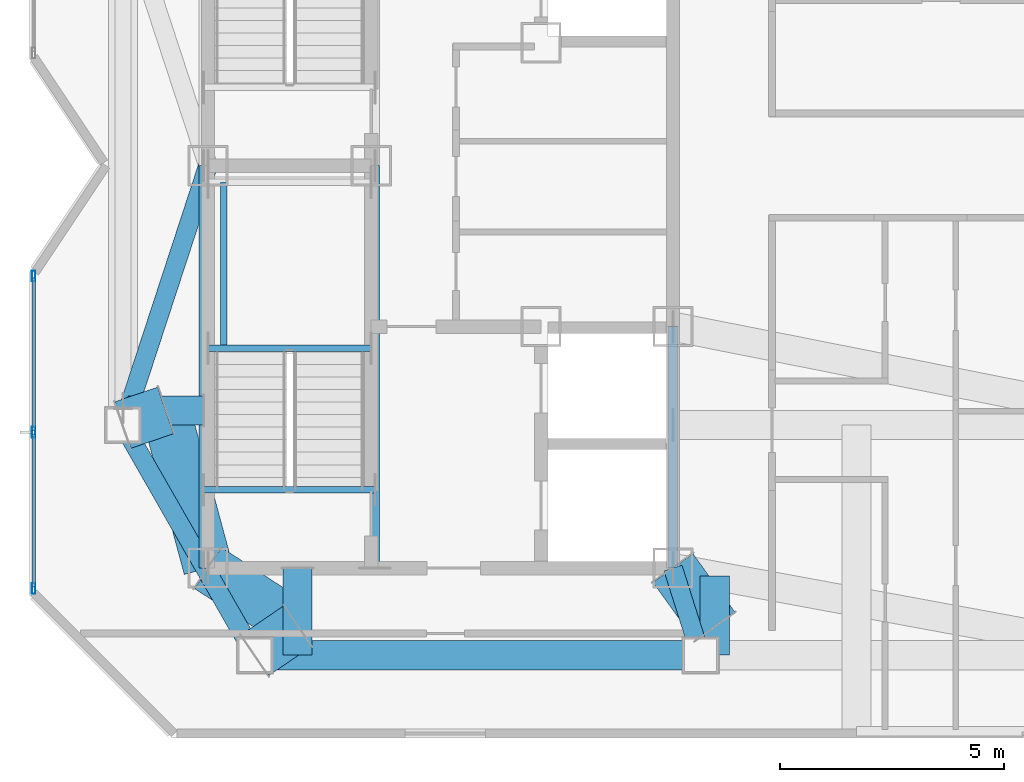
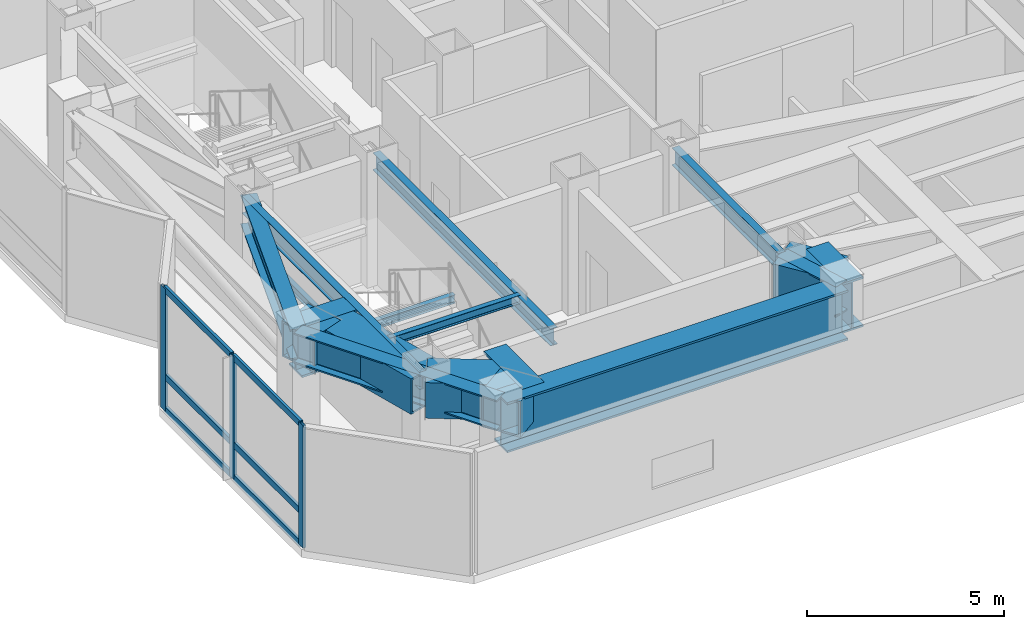
# One storey, part 2 of 15: 18 beams, 9 members, 1 element without a shape of its own.
"""IFC4 building model written with IfcOpenShell, lengths in metres."""

from ifc_helpers import new_model, si_unit, direction, frame, origin, origin_2d, place, context, subcontext, project, spatial, hollow_rectangle, i_section, extrude, material, material_profile, profile_set, type_object, element, aggregate, save


model = new_model("IFC4")

# Units and contexts
model_context = context("Model", 3, precision=1e-05, world=origin(), true_north=direction((0.0, 1.0)))
body_context = subcontext(model_context, "Body", "Model", "MODEL_VIEW")
ifc_project = project(units=[si_unit("LENGTHUNIT", "METRE"), si_unit("AREAUNIT", "SQUARE_METRE"), si_unit("VOLUMEUNIT", "CUBIC_METRE"), si_unit("PLANEANGLEUNIT", "RADIAN"), si_unit("MASSUNIT", "GRAM", prefix="KILO")], contexts=[model_context])

# Site, building, storey
site_placement = place(None, origin())
site = spatial("IfcSite", under=ifc_project, at=site_placement, CompositionType="ELEMENT")
building_placement = place(site_placement, origin())
building = spatial("IfcBuilding", under=site, at=building_placement, Name="Khamvora Tower", CompositionType="ELEMENT")
storey_placement = place(building_placement, frame((0.0, 0.0, 290.449951171875)))
storey = spatial("IfcBuildingStorey", under=building, at=storey_placement, Name="L74", CompositionType="ELEMENT", Elevation=290.449951171875)

# Beams
ifc_material_1 = material(Name="Steel S355", Category="steel")
ifc_material_profile_1 = material_profile(ifc_material_1, i_section(OverallWidth=0.14697265625, OverallDepth=0.261962890625, WebThickness=0.007080078125, FlangeThickness=0.010986328125, FilletRadius=0.008056640625, at=origin_2d()), Name="W250x39")
ifc_profile_set_1 = profile_set([ifc_material_profile_1], Name="Steel S355")
beam_type_1 = type_object("IfcBeamType", Name="BM-LN-W250x39", PredefinedType="LINTEL", material=ifc_profile_set_1)
beam_1_placement = place(storey_placement, frame((29.0, 23.9150390625, 1.76904296875), z_axis=(1.0, 0.0, 0.0), x_axis=(0.0, 1.0, 0.0)))
element("IfcBeam", 1, at=beam_1_placement, inside=storey, type_object=beam_type_1, Name="L74 ST-01 half-landing support beam 1.1", PredefinedType="LINTEL", context=body_context, shape_type="SweptSolid", body=[
    extrude(i_section(OverallWidth=0.14697265625, OverallDepth=0.261962890625, WebThickness=0.007080078125, FlangeThickness=0.010986328125, FilletRadius=0.008056640625, at=origin_2d()), origin(), (0.0, 0.0, 1.0), 3.64990234375),
])
beam_2_placement = place(storey_placement, frame((29.35009765625, 23.9150390625, 1.76904296875), z_axis=(0.0, 1.0, 0.0), x_axis=(-1.0, 0.0, 0.0)))
element("IfcBeam", 2, at=beam_2_placement, inside=storey, type_object=beam_type_1, Name="L74 ST-01 half-landing edge stringer 1", PredefinedType="LINTEL", context=body_context, shape_type="SweptSolid", body=[
    extrude(i_section(OverallWidth=0.14697265625, OverallDepth=0.261962890625, WebThickness=0.007080078125, FlangeThickness=0.010986328125, FilletRadius=0.008056640625, at=origin_2d()), origin(), (0.0, 0.0, 1.0), 3.71484375),
])
beam_3_placement = place(storey_placement, frame((28.89990234375, 20.75, 3.654052734375), z_axis=(1.0, 0.0, 0.0), x_axis=(0.0, 1.0, 0.0)))
element("IfcBeam", 3, at=beam_3_placement, inside=storey, type_object=beam_type_1, Name="L74 exit stair ST-01 landing trimmer beam", PredefinedType="LINTEL", context=body_context, shape_type="SweptSolid", body=[
    extrude(i_section(OverallWidth=0.14697265625, OverallDepth=0.261962890625, WebThickness=0.007080078125, FlangeThickness=0.010986328125, FilletRadius=0.008056640625, at=origin_2d()), origin(), (0.0, 0.0, 1.0), 3.830078125),
])
ifc_material_profile_2 = material_profile(ifc_material_1, i_section(OverallWidth=0.208984375, OverallDepth=0.532958984375, WebThickness=0.010009765625, FlangeThickness=0.01611328125, FilletRadius=0.013916015625, at=origin_2d()), Name="W530x92")
ifc_profile_set_2 = profile_set([ifc_material_profile_2], Name="Steel S355")
beam_type_2 = type_object("IfcBeamType", Name="BM-SP-W530x92", PredefinedType="SPANDREL", material=ifc_profile_set_2)
for number, where, z_axis, x_axis, name in (
    (4, (28.89990234375, 19.0, 3.51416015625), (0.0, 1.0, 0.0), (-1.0, 0.0, 0.0), "L74 core spine girder WS"),
    (5, (32.72998046875, 19.0, 3.51416015625), (0.0, 1.0, 0.0), (-1.0, 0.0, 0.0), "L74 core spine girder M1S"),
):
    element("IfcBeam", number, at=place(storey_placement, frame(where, z_axis=z_axis, x_axis=x_axis)), inside=storey, type_object=beam_type_2, Name=name, PredefinedType="SPANDREL", context=body_context, shape_type="SweptSolid", body=[
        extrude(i_section(OverallWidth=0.208984375, OverallDepth=0.532958984375, WebThickness=0.010009765625, FlangeThickness=0.01611328125, FilletRadius=0.013916015625, at=origin_2d()), origin(), (0.0, 0.0, 1.0), 9.0),
    ])
beam_4_placement = place(storey_placement, frame((39.39990234375, 19.0, 3.51416015625), z_axis=(0.0, 1.0, 0.0), x_axis=(-1.0, 0.0, 0.0)))
element("IfcBeam", 6, at=beam_4_placement, inside=storey, type_object=beam_type_2, Name="L74 core spine girder ES", PredefinedType="SPANDREL", context=body_context, shape_type="SweptSolid", body=[
    extrude(i_section(OverallWidth=0.208984375, OverallDepth=0.532958984375, WebThickness=0.010009765625, FlangeThickness=0.01611328125, FilletRadius=0.013916015625, at=origin_2d()), origin(), (0.0, 0.0, 1.0), 5.39990234375),
])
ifc_material_2 = material(Name="Steel S460", Category="steel")
ifc_material_profile_3 = material_profile(ifc_material_2, hollow_rectangle(XDim=1.10009765625, YDim=1.10009765625, WallThickness=0.054931640625, at=origin_2d()), Name="BOX1100x1100x55")
ifc_profile_set_3 = profile_set([ifc_material_profile_3], Name="Steel S460")
beam_type_3 = type_object("IfcBeamType", Name="BM-TG-BOX1100", PredefinedType="BEAM", material=ifc_profile_set_3)
beam_5_placement = place(storey_placement, frame((30.050048828125, 17.050048828125, 3.22998046875), z_axis=(0.825333274283, 0.564645894665, 0.0), x_axis=(-0.564645894665, 0.825333274283, 0.0)))
element("IfcBeam", 7, at=beam_5_placement, inside=storey, type_object=beam_type_3, Name="L74 setback frame transfer frame transfer link S1.1", PredefinedType="BEAM", context=body_context, shape_type="SweptSolid", body=[
    extrude(hollow_rectangle(XDim=1.10009765625, YDim=1.10009765625, WallThickness=0.054931640625, at=origin_2d()), origin(), (0.0, 0.0, 1.0), 1.15087890625),
])
beam_6_placement = place(storey_placement, frame((29.0, 19.0, 3.22998046875), z_axis=(0.838434262763, -0.545002740383, 0.0), x_axis=(0.545002740383, 0.838434262763, 0.0)))
element("IfcBeam", 8, at=beam_6_placement, inside=storey, type_object=beam_type_3, Name="L74 setback frame transfer frame transfer link S1.2", PredefinedType="BEAM", context=body_context, shape_type="SweptSolid", body=[
    extrude(hollow_rectangle(XDim=1.10009765625, YDim=1.10009765625, WallThickness=0.054931640625, at=origin_2d()), origin(), (0.0, 0.0, 1.0), 2.385498046875),
])
beam_7_placement = place(storey_placement, frame((39.39990234375, 19.0, 3.22998046875), z_axis=(0.583098361716, -0.812401563615, 0.0), x_axis=(0.812401563615, 0.583098361716, 0.0)))
element("IfcBeam", 9, at=beam_7_placement, inside=storey, type_object=beam_type_3, Name="L74 setback frame transfer frame transfer link S2.2", PredefinedType="BEAM", context=body_context, shape_type="SweptSolid", body=[
    extrude(hollow_rectangle(XDim=1.10009765625, YDim=1.10009765625, WallThickness=0.054931640625, at=origin_2d()), origin(), (0.0, 0.0, 1.0), 1.600341796875),
])
beam_8_placement = place(storey_placement, frame((27.10009765625, 22.199951171875, 3.22998046875), z_axis=(0.946173783676, 0.323659035228, 0.0), x_axis=(-0.323659035228, 0.946173783676, 0.0)))
element("IfcBeam", 10, at=beam_8_placement, inside=storey, type_object=beam_type_3, Name="L74 setback frame transfer frame transfer link W1.1", PredefinedType="BEAM", context=body_context, shape_type="SweptSolid", body=[
    extrude(hollow_rectangle(XDim=1.10009765625, YDim=1.10009765625, WallThickness=0.054931640625, at=origin_2d()), origin(), (0.0, 0.0, 1.0), 1.00390625),
])
beam_9_placement = place(storey_placement, frame((29.0, 19.0, 3.22998046875), z_axis=(-0.260213295477, 0.965551159109, 0.0), x_axis=(-0.965551159109, -0.260213295477, 0.0)))
element("IfcBeam", 11, at=beam_9_placement, inside=storey, type_object=beam_type_3, Name="L74 setback frame transfer frame transfer link W1.2", PredefinedType="BEAM", context=body_context, shape_type="SweptSolid", body=[
    extrude(hollow_rectangle(XDim=1.10009765625, YDim=1.10009765625, WallThickness=0.054931640625, at=origin_2d()), origin(), (0.0, 0.0, 1.0), 3.650634765625),
])
ifc_material_profile_4 = material_profile(ifc_material_2, i_section(OverallWidth=0.64990234375, OverallDepth=1.550048828125, WebThickness=0.0400390625, FlangeThickness=0.06494140625, at=origin_2d()), Name="PG1550x650x40x65")
ifc_profile_set_4 = profile_set([ifc_material_profile_4], Name="Steel S460")
beam_type_4 = type_object("IfcBeamType", Name="BM-TG-PG1800", PredefinedType="BEAM", material=ifc_profile_set_4)
beam_10_placement = place(storey_placement, frame((30.050048828125, 17.050048828125, 3.005126953125), z_axis=(1.0, 0.0, 0.0), x_axis=(0.0, 1.0, 0.0)))
element("IfcBeam", 12, at=beam_10_placement, inside=storey, type_object=beam_type_4, Name="L74 perimeter spandrel beam S1-S2", PredefinedType="BEAM", context=body_context, shape_type="SweptSolid", body=[
    extrude(i_section(OverallWidth=0.64990234375, OverallDepth=1.550048828125, WebThickness=0.0400390625, FlangeThickness=0.06494140625, at=origin_2d()), origin(), (0.0, 0.0, 1.0), 9.967041015625),
])
beam_11_placement = place(storey_placement, frame((31.0, 17.050048828125, 3.005126953125), z_axis=(0.0, 1.0, 0.0), x_axis=(-1.0, 0.0, 0.0)))
element("IfcBeam", 13, at=beam_11_placement, inside=storey, type_object=beam_type_4, Name="L74 setback frame transfer Box Girder S1", PredefinedType="BEAM", context=body_context, shape_type="SweptSolid", body=[
    extrude(i_section(OverallWidth=0.64990234375, OverallDepth=1.550048828125, WebThickness=0.0400390625, FlangeThickness=0.06494140625, at=origin_2d()), origin(), (0.0, 0.0, 1.0), 1.949951171875),
])
beam_12_placement = place(storey_placement, frame((40.3330078125, 17.050048828125, 3.005126953125), z_axis=(0.0, 1.0, 0.0), x_axis=(-1.0, 0.0, 0.0)))
element("IfcBeam", 14, at=beam_12_placement, inside=storey, type_object=beam_type_4, Name="L74 setback frame transfer Box Girder S2", PredefinedType="BEAM", context=body_context, shape_type="SweptSolid", body=[
    extrude(i_section(OverallWidth=0.64990234375, OverallDepth=1.550048828125, WebThickness=0.0400390625, FlangeThickness=0.06494140625, at=origin_2d()), origin(), (0.0, 0.0, 1.0), 1.77783203125),
])
beam_13_placement = place(storey_placement, frame((27.2060546875, 22.52490234375, 3.005126953125), z_axis=(1.0, 0.0, 0.0), x_axis=(0.0, 1.0, 0.0)))
element("IfcBeam", 15, at=beam_13_placement, inside=storey, type_object=beam_type_4, Name="L74 setback frame transfer Box Girder W1", PredefinedType="BEAM", context=body_context, shape_type="SweptSolid", body=[
    extrude(i_section(OverallWidth=0.64990234375, OverallDepth=1.550048828125, WebThickness=0.0400390625, FlangeThickness=0.06494140625, at=origin_2d()), origin(), (0.0, 0.0, 1.0), 1.69384765625),
])
ifc_material_profile_5 = material_profile(ifc_material_2, i_section(OverallWidth=0.423095703125, OverallDepth=0.93310546875, WebThickness=0.02392578125, FlangeThickness=0.04296875, FilletRadius=0.02001953125, at=origin_2d()), Name="W920x446")
ifc_profile_set_5 = profile_set([ifc_material_profile_5], Name="Steel S460")
beam_type_5 = type_object("IfcBeamType", Name="BM-TL-900", PredefinedType="BEAM", material=ifc_profile_set_5)
beam_14_placement = place(storey_placement, frame((27.10009765625, 22.199951171875, 3.31396484375), z_axis=(0.497046824242, -0.86772372015, 0.0), x_axis=(0.86772372015, 0.497046824242, 0.0)))
element("IfcBeam", 16, at=beam_14_placement, inside=storey, type_object=beam_type_5, Name="L74 perimeter spandrel beam W1-S1", PredefinedType="BEAM", context=body_context, shape_type="SweptSolid", body=[
    extrude(i_section(OverallWidth=0.423095703125, OverallDepth=0.93310546875, WebThickness=0.02392578125, FlangeThickness=0.04296875, FilletRadius=0.02001953125, at=origin_2d()), origin(), (0.0, 0.0, 1.0), 5.93505859375),
])
beam_15_placement = place(storey_placement, frame((39.39990234375, 19.0, 3.31396484375), z_axis=(0.301759708026, -0.953384014242, 0.0), x_axis=(0.953384014242, 0.301759708026, 0.0)))
element("IfcBeam", 17, at=beam_15_placement, inside=storey, type_object=beam_type_5, Name="L74 primary floor girder S2", PredefinedType="BEAM", context=body_context, shape_type="SweptSolid", body=[
    extrude(i_section(OverallWidth=0.423095703125, OverallDepth=0.93310546875, WebThickness=0.02392578125, FlangeThickness=0.04296875, FilletRadius=0.02001953125, at=origin_2d()), origin(), (0.0, 0.0, 1.0), 2.04541015625),
])
beam_16_placement = place(storey_placement, frame((29.0, 28.0, 3.31396484375), z_axis=(-0.31129131303, -0.950314536578, 0.0), x_axis=(0.950314536578, -0.31129131303, 0.0)))
element("IfcBeam", 18, at=beam_16_placement, inside=storey, type_object=beam_type_5, Name="L74 primary floor girder W1", PredefinedType="BEAM", context=body_context, shape_type="SweptSolid", body=[
    extrude(i_section(OverallWidth=0.423095703125, OverallDepth=0.93310546875, WebThickness=0.02392578125, FlangeThickness=0.04296875, FilletRadius=0.02001953125, at=origin_2d()), origin(), (0.0, 0.0, 1.0), 6.103271484375),
])

# Curtain wall, members
ifc_material_3 = material(Name="Anodised Aluminium 6063-T6", Category="aluminium")
curtain_wall_type = type_object("IfcCurtainWallType", Name="CW-SYS-06", PredefinedType="NOTDEFINED", material=ifc_material_3)
curtain_wall_placement = place(storey_placement, origin())
curtain_wall = element("IfcCurtainWall", 19, at=curtain_wall_placement, inside=storey, type_object=curtain_wall_type, Name="L74 stick curtain wall 02.1", PredefinedType="NOTDEFINED")
ifc_material_profile_6 = material_profile(ifc_material_3, hollow_rectangle(XDim=0.080078125, YDim=0.239990234375, WallThickness=0.0048828125, at=origin_2d()), Name="MUL80x240x5")
ifc_profile_set_6 = profile_set([ifc_material_profile_6], Name="Anodised Aluminium 6063-T6")
member_type_1 = type_object("IfcMemberType", Name="CW-SYS-06-MUL", PredefinedType="MULLION", material=ifc_profile_set_6)
member_1_placement = place(storey_placement, frame((25.10009765625, 18.5439453125, 0.0), z_axis=(0.0, 0.0, 1.0), x_axis=(-1.0, 0.0, 0.0)))
member_1 = element("IfcMember", 20, at=member_1_placement, type_object=member_type_1, Name="CW-06 mullion 1", PredefinedType="MULLION", context=body_context, shape_type="SweptSolid", body=[
    extrude(hollow_rectangle(XDim=0.080078125, YDim=0.239990234375, WallThickness=0.0048828125, at=origin_2d()), origin(), (0.0, 0.0, 1.0), 3.780029296875),
])
member_2_placement = place(storey_placement, frame((25.10009765625, 22.037109375, 0.0), z_axis=(0.0, 0.0, 1.0), x_axis=(-1.0, 0.0, 0.0)))
member_2 = element("IfcMember", 21, at=member_2_placement, type_object=member_type_1, Name="CW-06 mullion 2", PredefinedType="MULLION", context=body_context, shape_type="SweptSolid", body=[
    extrude(hollow_rectangle(XDim=0.080078125, YDim=0.239990234375, WallThickness=0.0048828125, at=origin_2d()), origin(), (0.0, 0.0, 1.0), 3.780029296875),
])
member_3_placement = place(storey_placement, frame((25.10009765625, 25.530029296875, 0.0), z_axis=(0.0, 0.0, 1.0), x_axis=(-1.0, 0.0, 0.0)))
member_3 = element("IfcMember", 22, at=member_3_placement, type_object=member_type_1, Name="CW-06 mullion 3", PredefinedType="MULLION", context=body_context, shape_type="SweptSolid", body=[
    extrude(hollow_rectangle(XDim=0.080078125, YDim=0.239990234375, WallThickness=0.0048828125, at=origin_2d()), origin(), (0.0, 0.0, 1.0), 3.780029296875),
])
ifc_material_profile_7 = material_profile(ifc_material_3, hollow_rectangle(XDim=0.080078125, YDim=0.195068359375, WallThickness=0.0048828125, at=origin_2d()), Name="TRN80x195x5")
ifc_profile_set_7 = profile_set([ifc_material_profile_7], Name="Anodised Aluminium 6063-T6")
member_type_2 = type_object("IfcMemberType", Name="CW-SYS-06-TRN", PredefinedType="USERDEFINED", material=ifc_profile_set_7)
member_4_placement = place(storey_placement, frame((25.10009765625, 18.583984375, 0.0400390625), z_axis=(0.0, 1.0, 0.0), x_axis=(-1.0, 0.0, 0.0)))
member_4 = element("IfcMember", 23, at=member_4_placement, type_object=member_type_2, Name="CW-06 transom 1.1", ObjectType="TRANSOM", PredefinedType="USERDEFINED", context=body_context, shape_type="SweptSolid", body=[
    extrude(hollow_rectangle(XDim=0.080078125, YDim=0.195068359375, WallThickness=0.0048828125, at=origin_2d()), origin(), (0.0, 0.0, 1.0), 3.4130859375),
])
member_5_placement = place(storey_placement, frame((25.10009765625, 18.583984375, 1.050048828125), z_axis=(0.0, 1.0, 0.0), x_axis=(-1.0, 0.0, 0.0)))
member_5 = element("IfcMember", 24, at=member_5_placement, type_object=member_type_2, Name="CW-06 transom 1.2", ObjectType="TRANSOM", PredefinedType="USERDEFINED", context=body_context, shape_type="SweptSolid", body=[
    extrude(hollow_rectangle(XDim=0.080078125, YDim=0.195068359375, WallThickness=0.0048828125, at=origin_2d()), origin(), (0.0, 0.0, 1.0), 3.4130859375),
])
member_6_placement = place(storey_placement, frame((25.10009765625, 18.583984375, 3.739990234375), z_axis=(0.0, 1.0, 0.0), x_axis=(-1.0, 0.0, 0.0)))
member_6 = element("IfcMember", 25, at=member_6_placement, type_object=member_type_2, Name="CW-06 transom 1.3", ObjectType="TRANSOM", PredefinedType="USERDEFINED", context=body_context, shape_type="SweptSolid", body=[
    extrude(hollow_rectangle(XDim=0.080078125, YDim=0.195068359375, WallThickness=0.0048828125, at=origin_2d()), origin(), (0.0, 0.0, 1.0), 3.4130859375),
])
member_7_placement = place(storey_placement, frame((25.10009765625, 22.076904296875, 0.0400390625), z_axis=(0.0, 1.0, 0.0), x_axis=(-1.0, 0.0, 0.0)))
member_7 = element("IfcMember", 26, at=member_7_placement, type_object=member_type_2, Name="CW-06 transom 2.1", ObjectType="TRANSOM", PredefinedType="USERDEFINED", context=body_context, shape_type="SweptSolid", body=[
    extrude(hollow_rectangle(XDim=0.080078125, YDim=0.195068359375, WallThickness=0.0048828125, at=origin_2d()), origin(), (0.0, 0.0, 1.0), 3.4130859375),
])
member_8_placement = place(storey_placement, frame((25.10009765625, 22.076904296875, 1.050048828125), z_axis=(0.0, 1.0, 0.0), x_axis=(-1.0, 0.0, 0.0)))
member_8 = element("IfcMember", 27, at=member_8_placement, type_object=member_type_2, Name="CW-06 transom 2.2", ObjectType="TRANSOM", PredefinedType="USERDEFINED", context=body_context, shape_type="SweptSolid", body=[
    extrude(hollow_rectangle(XDim=0.080078125, YDim=0.195068359375, WallThickness=0.0048828125, at=origin_2d()), origin(), (0.0, 0.0, 1.0), 3.4130859375),
])
member_9_placement = place(storey_placement, frame((25.10009765625, 22.076904296875, 3.739990234375), z_axis=(0.0, 1.0, 0.0), x_axis=(-1.0, 0.0, 0.0)))
member_9 = element("IfcMember", 28, at=member_9_placement, type_object=member_type_2, Name="CW-06 transom 2.3", ObjectType="TRANSOM", PredefinedType="USERDEFINED", context=body_context, shape_type="SweptSolid", body=[
    extrude(hollow_rectangle(XDim=0.080078125, YDim=0.195068359375, WallThickness=0.0048828125, at=origin_2d()), origin(), (0.0, 0.0, 1.0), 3.4130859375),
])
aggregate(curtain_wall, [member_1, member_2, member_3, member_4, member_5, member_6, member_7, member_8, member_9])

save(model, "model.ifc")
